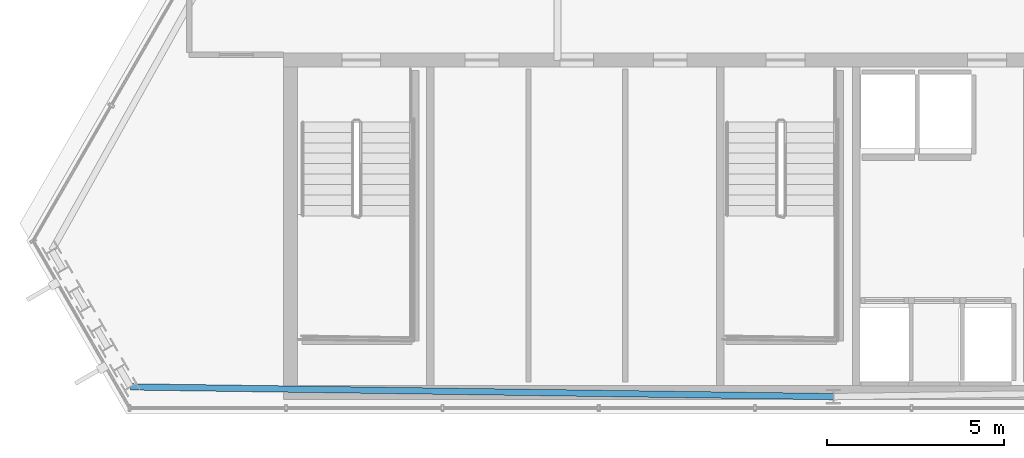
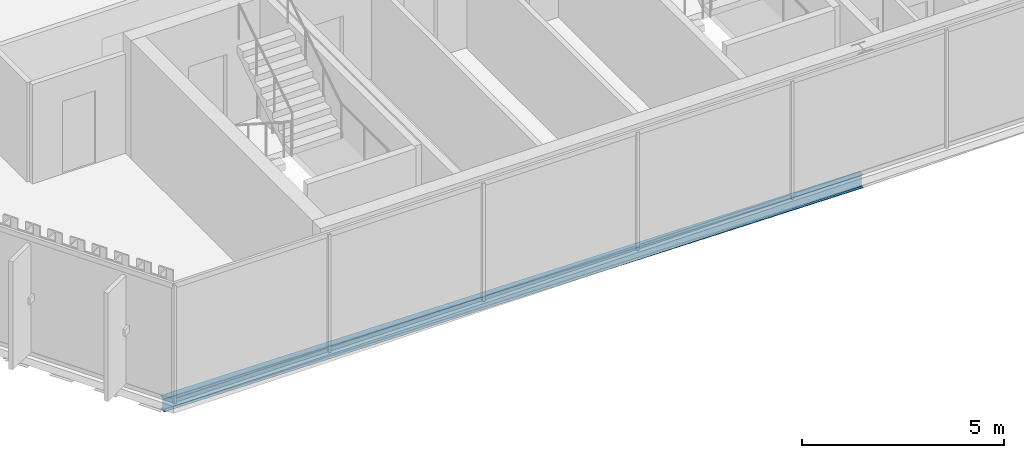
# One storey, part 4 of 34: 1 beam.
"""IFC4 building model written with IfcOpenShell, lengths in metres."""

from ifc_helpers import new_model, si_unit, direction, frame, origin, origin_2d, place, context, subcontext, project, spatial, i_section, extrude, material, material_profile, profile_set, type_object, element, save


model = new_model("IFC4")

# Units and contexts
model_context = context("Model", 3, precision=1e-05, world=origin(), true_north=direction((0.0, 1.0)))
body_context = subcontext(model_context, "Body", "Model", "MODEL_VIEW")
ifc_project = project(units=[si_unit("LENGTHUNIT", "METRE"), si_unit("AREAUNIT", "SQUARE_METRE"), si_unit("VOLUMEUNIT", "CUBIC_METRE"), si_unit("PLANEANGLEUNIT", "RADIAN"), si_unit("MASSUNIT", "GRAM", prefix="KILO")], contexts=[model_context])

# Site, building, storey
site_placement = place(None, origin())
site = spatial("IfcSite", under=ifc_project, at=site_placement, CompositionType="ELEMENT")
building_placement = place(site_placement, origin())
building = spatial("IfcBuilding", under=site, at=building_placement, Name="Ndaravel Arena Tower", CompositionType="ELEMENT")
storey_placement = place(building_placement, frame((0.0, 0.0, 263.60009765625)))
storey = spatial("IfcBuildingStorey", under=building, at=storey_placement, Name="L64", CompositionType="ELEMENT", Elevation=263.60009765625)

# Beam
ifc_material = material(Name="Steel S355", Category="steel")
ifc_material_profile = material_profile(ifc_material, i_section(OverallWidth=0.179931640625, OverallDepth=0.39990234375, WebThickness=0.008544921875, FlangeThickness=0.013427734375, FilletRadius=0.02099609375, at=origin_2d()), Name="IPE 400")
ifc_profile_set = profile_set([ifc_material_profile], Name="Steel S355")
beam_type = type_object("IfcBeamType", Name="BM-SPAN-IPE400", PredefinedType="SPANDREL", material=ifc_profile_set)
beam_placement = place(storey_placement, frame((22.12451171875, 5.755615234375, -0.420166015625), z_axis=(0.999903852114, -0.013866741789, 0.0), x_axis=(0.013866741789, 0.999903852114, 0.0)))
element("IfcBeam", 1, at=beam_placement, inside=storey, type_object=beam_type, Name="L64 Perimeter Spandrel Beam SP-27", PredefinedType="SPANDREL", context=body_context, shape_type="SweptSolid", body=[
    extrude(i_section(OverallWidth=0.179931640625, OverallDepth=0.39990234375, WebThickness=0.008544921875, FlangeThickness=0.013427734375, FilletRadius=0.02099609375, at=origin_2d()), origin(), (0.0, 0.0, 1.0), 19.87744140625),
])

save(model, "model.ifc")
